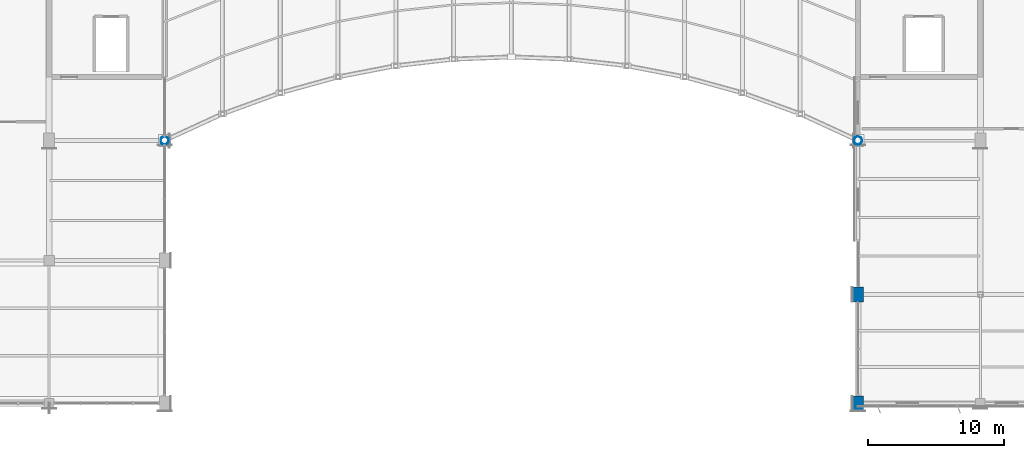
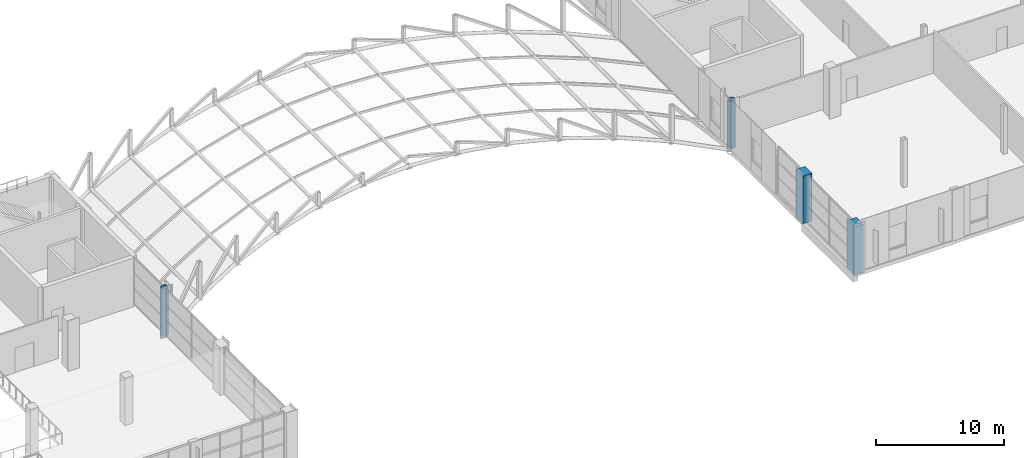
# One storey, part 2 of 101: 4 columns.
"""IFC4 building model written with IfcOpenShell, lengths in metres."""

from ifc_helpers import new_model, si_unit, direction, frame, origin, origin_2d, place, context, subcontext, project, spatial, rectangle, hollow_circle, extrude, material, material_profile, profile_set, type_object, element, save


model = new_model("IFC4")

# Units and contexts
model_context = context("Model", 3, precision=1e-05, world=origin(), true_north=direction((0.0, 1.0)))
body_context = subcontext(model_context, "Body", "Model", "MODEL_VIEW")
ifc_project = project(units=[si_unit("LENGTHUNIT", "METRE"), si_unit("AREAUNIT", "SQUARE_METRE"), si_unit("VOLUMEUNIT", "CUBIC_METRE"), si_unit("PLANEANGLEUNIT", "RADIAN"), si_unit("MASSUNIT", "GRAM", prefix="KILO")], contexts=[model_context])

# Site, building, storey
site_placement = place(None, origin())
site = spatial("IfcSite", under=ifc_project, at=site_placement, CompositionType="ELEMENT")
building_placement = place(site_placement, origin())
building = spatial("IfcBuilding", under=site, at=building_placement, Name="Solvikara Media Centre", CompositionType="ELEMENT")
storey_placement = place(building_placement, frame((0.0, 0.0, 10.199951171875)))
storey = spatial("IfcBuildingStorey", under=building, at=storey_placement, Name="L02", CompositionType="ELEMENT", Elevation=10.199951171875)

# Columns
ifc_material_1 = material(Name="Concrete fc' 45 MPa (C45/55)", Category="concrete")
ifc_material_profile_1 = material_profile(ifc_material_1, rectangle(XDim=0.800048828125, YDim=1.10009765625, at=origin_2d()), Name="RC 800x1100")
ifc_profile_set_1 = profile_set([ifc_material_profile_1], Name="Concrete fc' 45 MPa (C45/55)")
column_type_1 = type_object("IfcColumnType", Name="CL-17", PredefinedType="COLUMN", material=ifc_profile_set_1)
for number, where, z_axis, x_axis, name in (
    (1, (127.5, 0.0, 0.0), (0.0, 0.0, 1.0), (1.0, 0.0, 0.0), "C-L02-1275-0000"),
    (2, (127.5, 8.0, 0.0), (0.0, 0.0, 1.0), (1.0, 0.0, 0.0), "C-L02-1275-0080"),
):
    element("IfcColumn", number, at=place(storey_placement, frame(where, z_axis=z_axis, x_axis=x_axis)), inside=storey, type_object=column_type_1, Name=name, PredefinedType="COLUMN", context=body_context, shape_type="SweptSolid", body=[
        extrude(rectangle(XDim=0.800048828125, YDim=1.10009765625, at=origin_2d()), origin(), (0.0, 0.0, 1.0), 4.530029296875),
    ])
ifc_material_2 = material(Name="Steel S355JR", Category="steel")
ifc_material_profile_2 = material_profile(ifc_material_2, hollow_circle(Radius=0.304931640625, WallThickness=0.02001953125, at=origin_2d()), Name="CHS 610x20")
ifc_profile_set_2 = profile_set([ifc_material_profile_2], Name="Steel S355JR")
column_type_2 = type_object("IfcColumnType", Name="CL-23", PredefinedType="COLUMN", material=ifc_profile_set_2)
for number, where, z_axis, x_axis, name in (
    (3, (76.5, 19.323974609375, 0.0), (0.0, 0.0, 1.0), (1.0, 0.0, 0.0), "C-L02-0765-0193"),
    (4, (127.5, 19.323974609375, 0.0), (0.0, 0.0, 1.0), (1.0, 0.0, 0.0), "C-L02-1275-0193"),
):
    element("IfcColumn", number, at=place(storey_placement, frame(where, z_axis=z_axis, x_axis=x_axis)), inside=storey, type_object=column_type_2, Name=name, PredefinedType="COLUMN", context=body_context, shape_type="SweptSolid", body=[
        extrude(hollow_circle(Radius=0.304931640625, WallThickness=0.02001953125, at=origin_2d()), origin(), (0.0, 0.0, 1.0), 4.530029296875),
    ])

save(model, "model.ifc")
